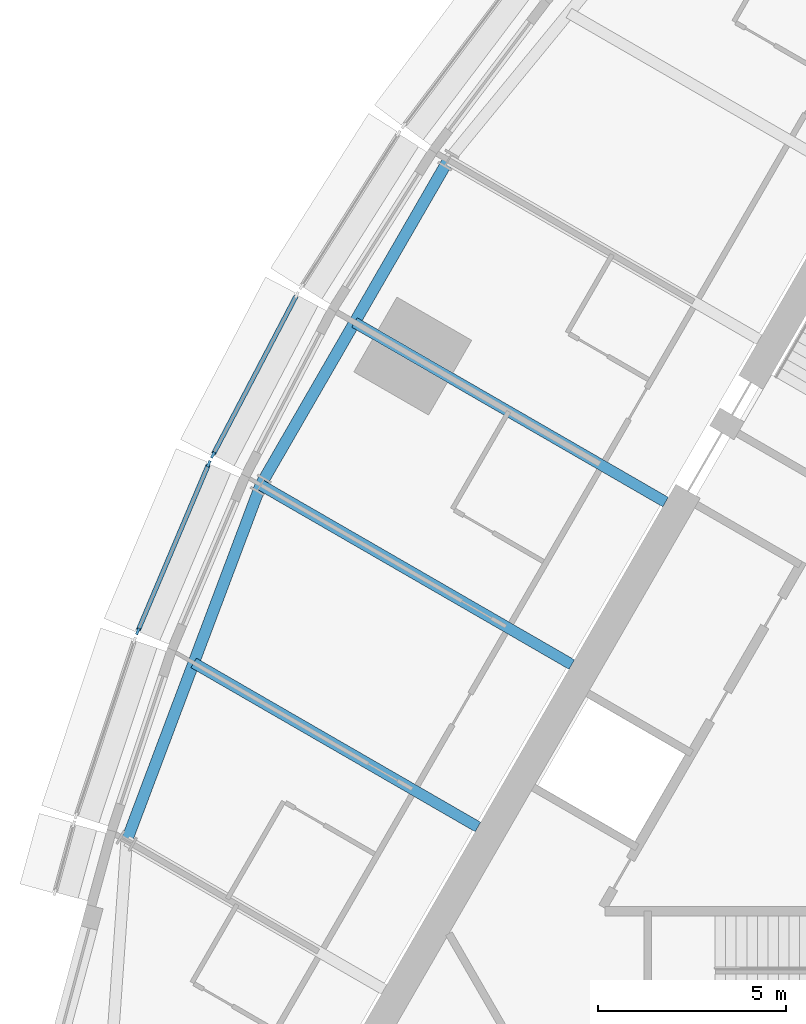
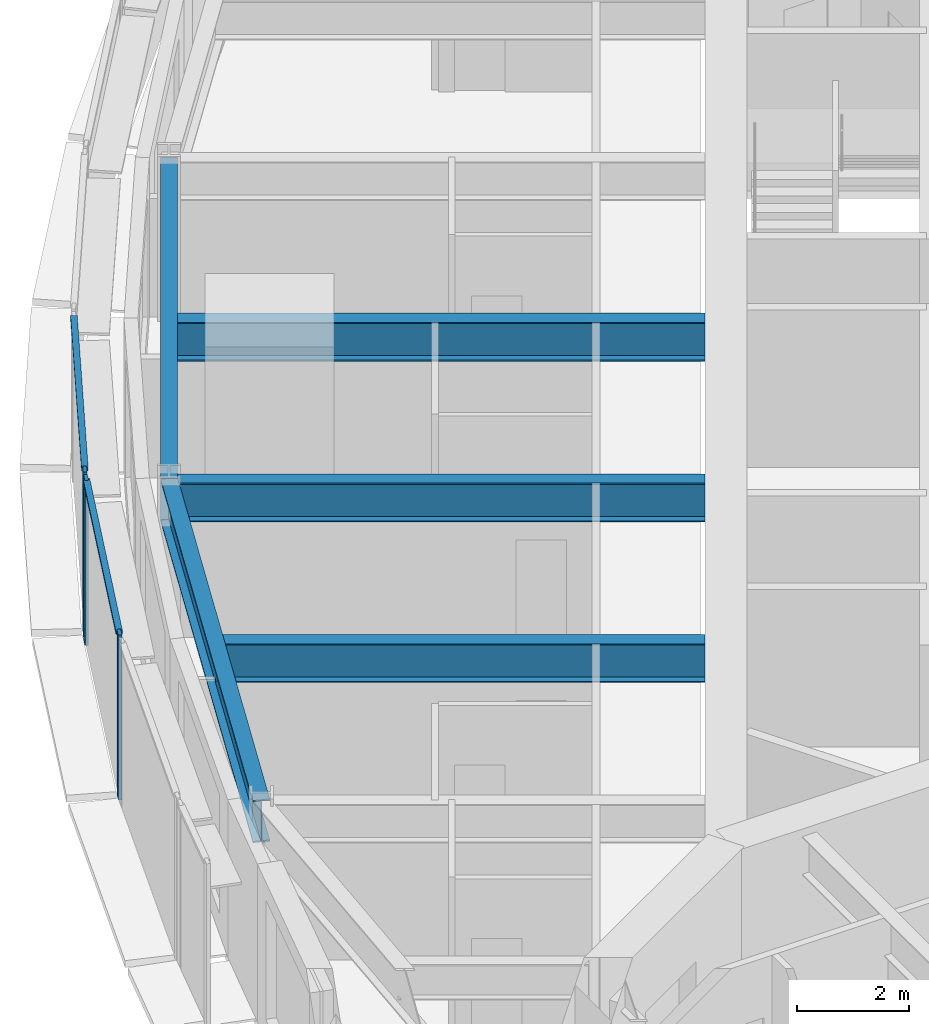
# One storey, part 3 of 15: 5 beams, 5 members, 2 elements without a shape of their own.
"""IFC4 building model written with IfcOpenShell, lengths in metres."""

from ifc_helpers import new_model, si_unit, direction, frame, origin, origin_2d, place, context, subcontext, project, spatial, rectangle, i_section, extrude, material, material_profile, profile_set, type_object, element, aggregate, save


model = new_model("IFC4")

# Units and contexts
model_context = context("Model", 3, precision=1e-05, world=origin(), true_north=direction((0.0, 1.0)))
body_context = subcontext(model_context, "Body", "Model", "MODEL_VIEW")
ifc_project = project(units=[si_unit("LENGTHUNIT", "METRE"), si_unit("AREAUNIT", "SQUARE_METRE"), si_unit("VOLUMEUNIT", "CUBIC_METRE"), si_unit("PLANEANGLEUNIT", "RADIAN"), si_unit("MASSUNIT", "GRAM", prefix="KILO")], contexts=[model_context])

# Site, building, storey
site_placement = place(None, origin())
site = spatial("IfcSite", under=ifc_project, at=site_placement, CompositionType="ELEMENT")
building_placement = place(site_placement, origin())
building = spatial("IfcBuilding", under=site, at=building_placement, Name="Trikona Tower", CompositionType="ELEMENT")
storey_placement = place(building_placement, frame((0.0, 0.0, 204.5)))
storey = spatial("IfcBuildingStorey", under=building, at=storey_placement, Name="L54", CompositionType="ELEMENT", Elevation=204.5)

# Curtain wall, member
ifc_material_1 = material(Name="Aluminium curtain wall system", Category="aluminium")
curtain_wall_type = type_object("IfcCurtainWallType", Name="Curtain wall DS3", PredefinedType="NOTDEFINED", material=ifc_material_1)
curtain_wall_1_placement = place(storey_placement, origin())
curtain_wall_1 = element("IfcCurtainWall", 1, at=curtain_wall_1_placement, inside=storey, type_object=curtain_wall_type, Name="Curtain wall DS3 L54", PredefinedType="NOTDEFINED")
ifc_material_2 = material(Name="Aluminium mullion, pale anodised", Category="aluminium")
ifc_material_profile_1 = material_profile(ifc_material_2, rectangle(XDim=0.070068359375, YDim=0.179931640625, at=origin_2d()), Name="MUL-DS3")
ifc_profile_set_1 = profile_set([ifc_material_profile_1], Name="Aluminium mullion, pale anodised")
member_type_1 = type_object("IfcMemberType", Name="Mullion DS3 70x180", PredefinedType="MULLION", material=ifc_profile_set_1)
member_1_placement = place(storey_placement, frame((-20.635986328125, 6.20751953125, 0.0), z_axis=(0.0, 0.0, 1.0), x_axis=(0.885862390527, -0.463948084434, 0.0)))
member_1 = element("IfcMember", 2, at=member_1_placement, type_object=member_type_1, Name="CW-DS3 mullion 2", PredefinedType="MULLION", context=body_context, shape_type="SweptSolid", body=[
    extrude(rectangle(XDim=0.070068359375, YDim=0.179931640625, at=origin_2d()), origin(), (0.0, 0.0, 1.0), 3.60009765625),
])

# Curtain wall, members
curtain_wall_2_placement = place(storey_placement, origin())
curtain_wall_2 = element("IfcCurtainWall", 3, at=curtain_wall_2_placement, inside=storey, type_object=curtain_wall_type, Name="Curtain wall DS3 L54", PredefinedType="NOTDEFINED")
member_2_placement = place(storey_placement, frame((-20.74853515625, 5.969482421875, 0.0), z_axis=(0.0, 0.0, 1.0), x_axis=(0.920792322808, -0.390053199266, 0.0)))
member_2 = element("IfcMember", 4, at=member_2_placement, type_object=member_type_1, Name="CW-DS3 mullion 1", PredefinedType="MULLION", context=body_context, shape_type="SweptSolid", body=[
    extrude(rectangle(XDim=0.070068359375, YDim=0.179931640625, at=origin_2d()), origin(), (0.0, 0.0, 1.0), 3.60009765625),
])
member_3_placement = place(storey_placement, frame((-22.6396484375, 1.50537109375, 0.0), z_axis=(0.0, 0.0, 1.0), x_axis=(0.920792322808, -0.390053199266, 0.0)))
member_3 = element("IfcMember", 5, at=member_3_placement, type_object=member_type_1, Name="CW-DS3 mullion 2", PredefinedType="MULLION", context=body_context, shape_type="SweptSolid", body=[
    extrude(rectangle(XDim=0.070068359375, YDim=0.179931640625, at=origin_2d()), origin(), (0.0, 0.0, 1.0), 3.60009765625),
])

# Beams
ifc_material_3 = material(Name="Steel ASTM A992 Grade 50", Category="steel")
ifc_material_profile_2 = material_profile(ifc_material_3, i_section(OverallWidth=0.2919921875, OverallDepth=0.845703125, WebThickness=0.015380859375, FlangeThickness=0.0244140625, at=origin_2d()), Name="W33X141")
ifc_profile_set_2 = profile_set([ifc_material_profile_2], Name="Steel ASTM A992 Grade 50")
beam_type_1 = type_object("IfcBeamType", Name="Steel beam W33x141 (radial typ)", PredefinedType="BEAM", material=ifc_profile_set_2)
for number, where, z_axis, x_axis, name in (
    (6, (-8.57470703125, 4.95068359375, 3.01220703125), (-0.866025863714, 0.499999203377, 0.0), (-0.499999203377, -0.866025863714, 0.0), "Floor beam L55 F3 u0"),
    (7, (-11.07470703125, 0.62060546875, 3.01220703125), (-0.866025863714, 0.499999203377, 0.0), (-0.499999203377, -0.866025863714, 0.0), "Floor beam L55 F3 u5"),
):
    element("IfcBeam", number, at=place(storey_placement, frame(where, z_axis=z_axis, x_axis=x_axis)), inside=storey, type_object=beam_type_1, Name=name, PredefinedType="BEAM", context=body_context, shape_type="SweptSolid", body=[
        extrude(i_section(OverallWidth=0.2919921875, OverallDepth=0.845703125, WebThickness=0.015380859375, FlangeThickness=0.0244140625, at=origin_2d()), origin(), (0.0, 0.0, 1.0), 9.57080078125),
    ])
beam_1_placement = place(storey_placement, frame((-13.57470703125, -3.709716796875, 3.01220703125), z_axis=(-0.866013609749, 0.500020427312, 0.0), x_axis=(-0.500020427312, -0.866013609749, 0.0)))
element("IfcBeam", 8, at=beam_1_placement, inside=storey, type_object=beam_type_1, Name="Floor beam L55 F3 u10", PredefinedType="BEAM", context=body_context, shape_type="SweptSolid", body=[
    extrude(i_section(OverallWidth=0.2919921875, OverallDepth=0.845703125, WebThickness=0.015380859375, FlangeThickness=0.0244140625, at=origin_2d()), origin(), (0.0, 0.0, 1.0), 8.747314453125),
])
ifc_material_4 = material(Name="Steel ASTM A992 Grade 50", Category="steel")
ifc_material_profile_3 = material_profile(ifc_material_4, i_section(OverallWidth=0.307373046875, OverallDepth=0.922119140625, WebThickness=0.018310546875, FlangeThickness=0.030029296875, at=origin_2d()), Name="W36X182")
ifc_profile_set_3 = profile_set([ifc_material_profile_3], Name="Steel ASTM A992 Grade 50")
beam_type_2 = type_object("IfcBeamType", Name="Steel beam W36x182 (spandrel mid)", PredefinedType="SPANDREL", material=ifc_profile_set_3)
beam_2_placement = place(storey_placement, frame((-14.36328125, 14.066162109375, 2.97412109375), z_axis=(-0.500004234368, -0.866022959057, 0.0), x_axis=(0.866022959057, -0.500004234368, 0.0)))
element("IfcBeam", 9, at=beam_2_placement, inside=storey, type_object=beam_type_2, Name="Spandrel beam L55 F3-3", PredefinedType="SPANDREL", context=body_context, shape_type="SweptSolid", body=[
    extrude(i_section(OverallWidth=0.307373046875, OverallDepth=0.922119140625, WebThickness=0.018310546875, FlangeThickness=0.030029296875, at=origin_2d()), origin(), (0.0, 0.0, 1.0), 10.0),
])
beam_3_placement = place(storey_placement, frame((-19.36328125, 5.406005859375, 2.97412109375), z_axis=(-0.352596088442, -0.935775613283, 0.0), x_axis=(0.935775613283, -0.352596088442, 0.0)))
element("IfcBeam", 10, at=beam_3_placement, inside=storey, type_object=beam_type_2, Name="Spandrel beam L55 F3-4", PredefinedType="SPANDREL", context=body_context, shape_type="SweptSolid", body=[
    extrude(i_section(OverallWidth=0.307373046875, OverallDepth=0.922119140625, WebThickness=0.018310546875, FlangeThickness=0.030029296875, at=origin_2d()), origin(), (0.0, 0.0, 1.0), 10.134765625),
])

# Member
ifc_material_5 = material(Name="Aluminium transom, pale anodised", Category="aluminium")
ifc_material_profile_4 = material_profile(ifc_material_5, rectangle(XDim=0.1201171875, YDim=0.070068359375, at=origin_2d()), Name="TRN-DS3")
ifc_profile_set_4 = profile_set([ifc_material_profile_4], Name="Aluminium transom, pale anodised")
member_type_2 = type_object("IfcMemberType", Name="Transom DS3 70x120", PredefinedType="USERDEFINED", material=ifc_profile_set_4)
member_4_placement = place(storey_placement, frame((-18.418701171875, 10.44140625, 3.56494140625), z_axis=(-0.463910848027, -0.885881891158, 0.0), x_axis=(0.885881891158, -0.463910848027, 0.0)))
member_4 = element("IfcMember", 11, at=member_4_placement, type_object=member_type_2, Name="CW-DS3 transom 1.1", ObjectType="TRANSOM", PredefinedType="USERDEFINED", context=body_context, shape_type="SweptSolid", body=[
    extrude(rectangle(XDim=0.1201171875, YDim=0.070068359375, at=origin_2d()), origin(), (0.0, 0.0, 1.0), 4.744384765625),
])

aggregate(curtain_wall_1, [member_1, member_4])

member_5_placement = place(storey_placement, frame((-20.76220703125, 5.937255859375, 3.56494140625), z_axis=(-0.390061662668, -0.920788737614, 0.0), x_axis=(0.920788737614, -0.390061662668, 0.0)))
member_5 = element("IfcMember", 12, at=member_5_placement, type_object=member_type_2, Name="CW-DS3 transom 1.1", ObjectType="TRANSOM", PredefinedType="USERDEFINED", context=body_context, shape_type="SweptSolid", body=[
    extrude(rectangle(XDim=0.1201171875, YDim=0.070068359375, at=origin_2d()), origin(), (0.0, 0.0, 1.0), 4.778076171875),
])

aggregate(curtain_wall_2, [member_2, member_3, member_5])

save(model, "model.ifc")
